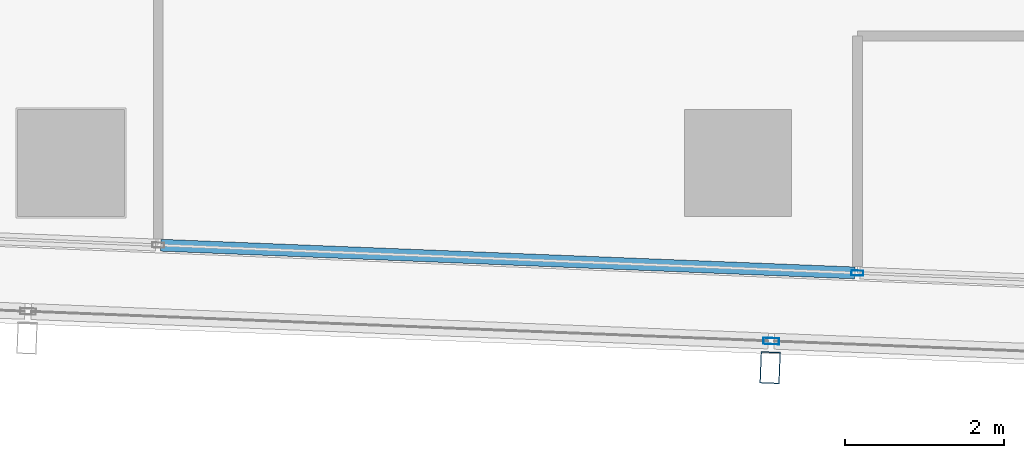
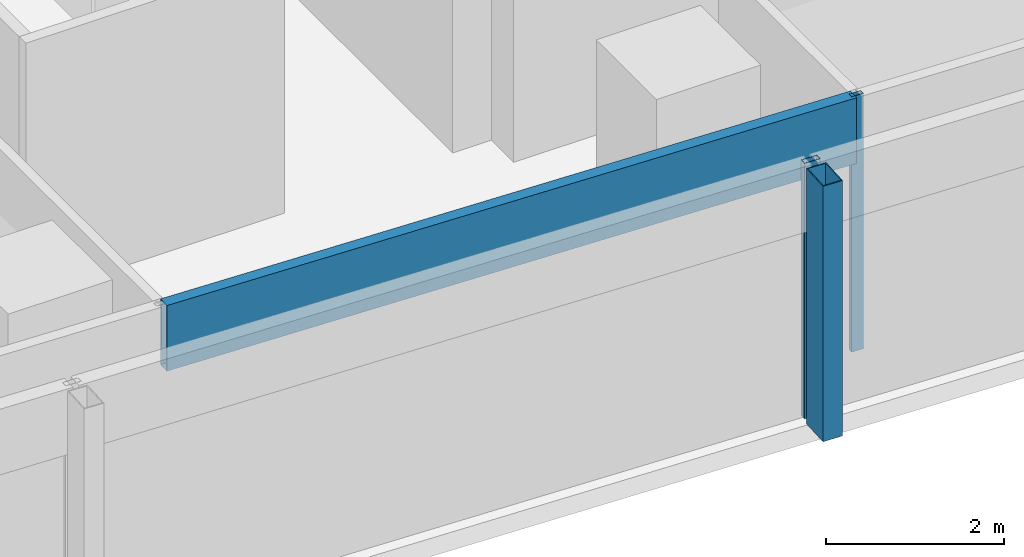
# One storey, part 6 of 39: 4 members, 2 elements without a shape of their own.
"""IFC4 building model written with IfcOpenShell, lengths in metres."""

from ifc_helpers import new_model, si_unit, direction, frame, origin, origin_2d, place, context, subcontext, project, spatial, hollow_rectangle, extrude, material, material_profile, profile_set, type_object, element, aggregate, save


model = new_model("IFC4")

# Units and contexts
model_context = context("Model", 3, precision=1e-05, world=origin(), true_north=direction((0.0, 1.0)))
body_context = subcontext(model_context, "Body", "Model", "MODEL_VIEW")
ifc_project = project(units=[si_unit("LENGTHUNIT", "METRE"), si_unit("AREAUNIT", "SQUARE_METRE"), si_unit("VOLUMEUNIT", "CUBIC_METRE"), si_unit("PLANEANGLEUNIT", "RADIAN"), si_unit("MASSUNIT", "GRAM", prefix="KILO")], contexts=[model_context])

# Site, building, storey
site_placement = place(None, origin())
site = spatial("IfcSite", under=ifc_project, at=site_placement, CompositionType="ELEMENT")
building_placement = place(site_placement, origin())
building = spatial("IfcBuilding", under=site, at=building_placement, Name="Rekha Terrace Tower", CompositionType="ELEMENT")
storey_placement = place(building_placement, frame((0.0, 0.0, 225.199951171875)))
storey = spatial("IfcBuildingStorey", under=building, at=storey_placement, Name="L57", CompositionType="ELEMENT", Elevation=225.199951171875)

# Curtain wall, member
ifc_material_1 = material(Name="Aluminium framing", Category="aluminium")
curtain_wall_type_1 = type_object("IfcCurtainWallType", Name="CW2 double skin outer glazing", PredefinedType="USERDEFINED", material=ifc_material_1)
curtain_wall_1_placement = place(storey_placement, origin())
curtain_wall_1 = element("IfcCurtainWall", 1, at=curtain_wall_1_placement, inside=storey, type_object=curtain_wall_type_1, Name="CW2 double skin outer glazing", ObjectType="DOUBLE SKIN OUTER GLAZING", PredefinedType="USERDEFINED")
ifc_material_2 = material(Name="Steel S355 with fluorocarbon finish", Category="steel")
ifc_material_profile_1 = material_profile(ifc_material_2, hollow_rectangle(XDim=0.25, YDim=0.39990234375, WallThickness=0.012451171875, at=origin_2d()), Name="RHS400x250x12.5")
ifc_profile_set_1 = profile_set([ifc_material_profile_1], Name="Steel S355 with fluorocarbon finish")
member_type_1 = type_object("IfcMemberType", Name="BL1 facade blade RHS 400 x 250", PredefinedType="USERDEFINED", material=ifc_profile_set_1)
member_1_placement = place(storey_placement, frame((25.60498046875, 14.222412109375, 0.0), z_axis=(0.0, 0.0, 1.0), x_axis=(0.999204797763, -0.039871946621, 0.0)))
member_1 = element("IfcMember", 2, at=member_1_placement, type_object=member_type_1, Name="Facade blade", ObjectType="FACADE BLADE", PredefinedType="USERDEFINED", context=body_context, shape_type="SweptSolid", body=[
    extrude(hollow_rectangle(XDim=0.25, YDim=0.39990234375, WallThickness=0.012451171875, at=origin_2d()), origin(), (0.0, 0.0, 1.0), 3.5),
])

# Curtain wall, members
curtain_wall_type_2 = type_object("IfcCurtainWallType", Name="CW1 double skin inner glazing", PredefinedType="USERDEFINED", material=ifc_material_1)
curtain_wall_2_placement = place(storey_placement, origin())
curtain_wall_2 = element("IfcCurtainWall", 3, at=curtain_wall_2_placement, inside=storey, type_object=curtain_wall_type_2, Name="CW1 double skin inner glazing", ObjectType="DOUBLE SKIN INNER GLAZING", PredefinedType="USERDEFINED")
ifc_material_3 = material(Name="Aluminium mullion section", Category="aluminium")
ifc_material_profile_2 = material_profile(ifc_material_3, hollow_rectangle(XDim=0.06494140625, YDim=0.14990234375, WallThickness=0.00390625, at=origin_2d()), Name="AL RHS 65x150")
ifc_profile_set_2 = profile_set([ifc_material_profile_2], Name="Aluminium mullion section")
member_type_2 = type_object("IfcMemberType", Name="CW1 mullion RHS 65 x 150", PredefinedType="MULLION", material=ifc_profile_set_2)
member_2_placement = place(storey_placement, frame((26.703369140625, 15.41455078125, 0.0), z_axis=(0.0, 0.0, 1.0), x_axis=(0.039872497061, 0.999204775798, 0.0)))
member_2 = element("IfcMember", 4, at=member_2_placement, type_object=member_type_2, Name="CW1 mullion 3", PredefinedType="MULLION", context=body_context, shape_type="SweptSolid", body=[
    extrude(hollow_rectangle(XDim=0.06494140625, YDim=0.14990234375, WallThickness=0.00390625, at=origin_2d()), origin(), (0.0, 0.0, 1.0), 3.5),
])
ifc_material_4 = material(Name="Insulated aluminium spandrel box", Category="aluminium")
ifc_material_profile_3 = material_profile(ifc_material_4, hollow_rectangle(XDim=0.14990234375, YDim=0.89990234375, WallThickness=0.0029296875, at=origin_2d()), Name="AL SPANDREL BOX 150x900")
ifc_profile_set_3 = profile_set([ifc_material_profile_3], Name="Insulated aluminium spandrel box")
member_type_3 = type_object("IfcMemberType", Name="CW1 spandrel transom 150 x 900", PredefinedType="USERDEFINED", material=ifc_profile_set_3)
member_3_placement = place(storey_placement, frame((17.931396484375, 15.7646484375, 3.050048828125), z_axis=(0.999205278064, -0.039859908291, 0.0), x_axis=(0.039859908291, 0.999205278064, 0.0)))
member_3 = element("IfcMember", 5, at=member_3_placement, type_object=member_type_3, Name="CW1 spandrel transom 2", ObjectType="TRANSOM", PredefinedType="USERDEFINED", context=body_context, shape_type="SweptSolid", body=[
    extrude(hollow_rectangle(XDim=0.14990234375, YDim=0.89990234375, WallThickness=0.0029296875, at=origin_2d()), origin(), (0.0, 0.0, 1.0), 8.746337890625),
])
aggregate(curtain_wall_2, [member_2, member_3])

# Member
ifc_material_profile_4 = material_profile(ifc_material_3, hollow_rectangle(XDim=0.080078125, YDim=0.199951171875, WallThickness=0.00390625, at=origin_2d()), Name="AL RHS 80x200")
ifc_profile_set_4 = profile_set([ifc_material_profile_4], Name="Aluminium mullion section")
member_type_4 = type_object("IfcMemberType", Name="CW2 mullion RHS 80 x 200", PredefinedType="MULLION", material=ifc_profile_set_4)
member_4_placement = place(storey_placement, frame((25.618408203125, 14.55712890625, 0.0), z_axis=(0.0, 0.0, 1.0), x_axis=(0.039872497044, 0.999204775799, 0.0)))
member_4 = element("IfcMember", 6, at=member_4_placement, type_object=member_type_4, Name="CW2 mullion 3", PredefinedType="MULLION", context=body_context, shape_type="SweptSolid", body=[
    extrude(hollow_rectangle(XDim=0.080078125, YDim=0.199951171875, WallThickness=0.00390625, at=origin_2d()), origin(), (0.0, 0.0, 1.0), 3.5),
])

aggregate(curtain_wall_1, [member_4, member_1])

save(model, "model.ifc")
